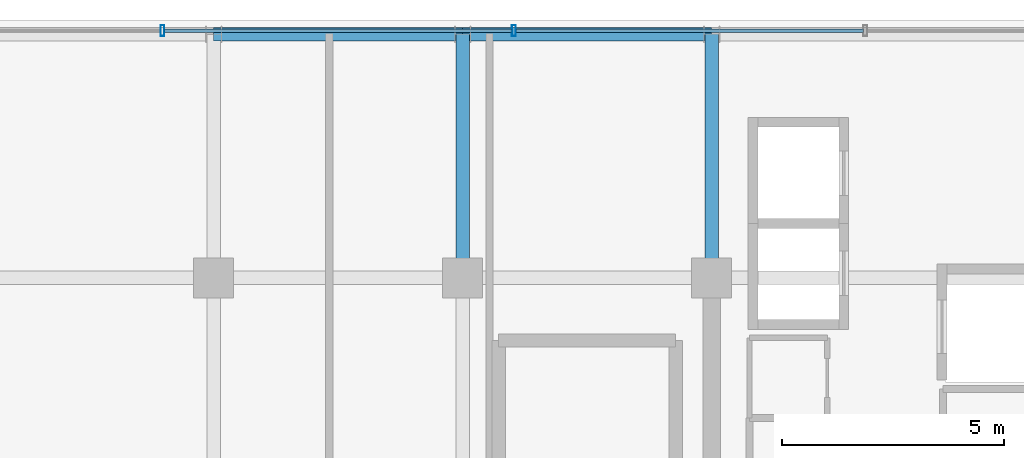
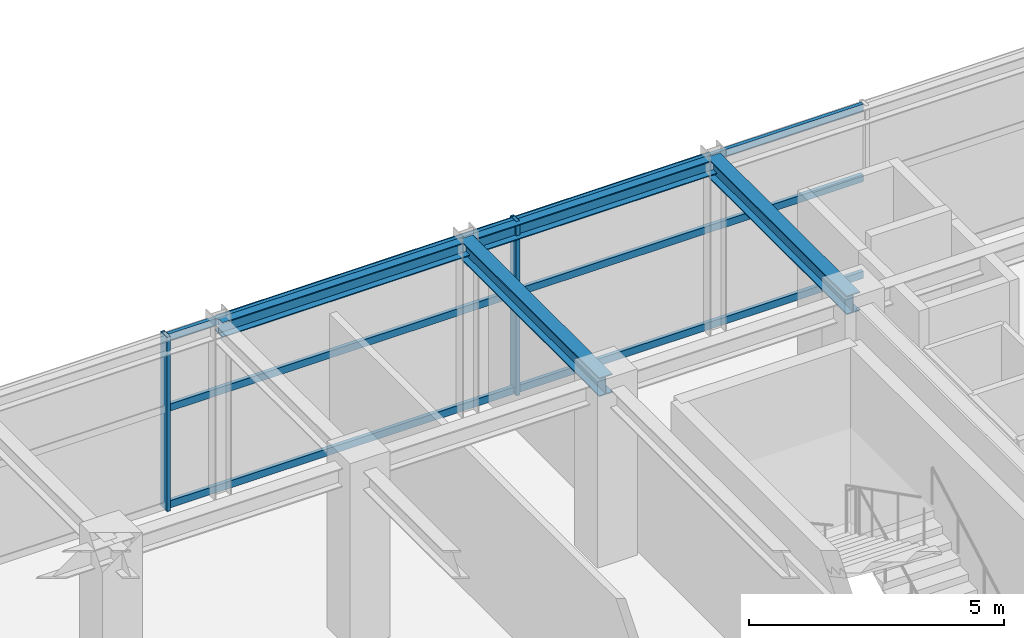
# One storey, part 14 of 20: 8 members, 4 beams, 1 element without a shape of its own.
"""IFC4 building model written with IfcOpenShell, lengths in metres."""

from ifc_helpers import new_model, si_unit, direction, frame, origin, origin_2d, place, context, subcontext, project, spatial, hollow_rectangle, i_section, extrude, source, transform, mapped, material, material_profile, profile_set, type_object, element, aggregate, save


model = new_model("IFC4")

# Units and contexts
model_context = context("Model", 3, precision=1e-05, world=origin(), true_north=direction((0.0, 1.0)))
body_context = subcontext(model_context, "Body", "Model", "MODEL_VIEW")
ifc_project = project(units=[si_unit("LENGTHUNIT", "METRE"), si_unit("AREAUNIT", "SQUARE_METRE"), si_unit("VOLUMEUNIT", "CUBIC_METRE"), si_unit("PLANEANGLEUNIT", "RADIAN"), si_unit("MASSUNIT", "GRAM", prefix="KILO")], contexts=[model_context])

# Site, building, storey
site_placement = place(None, origin())
site = spatial("IfcSite", under=ifc_project, at=site_placement, CompositionType="ELEMENT")
building_placement = place(site_placement, origin())
building = spatial("IfcBuilding", under=site, at=building_placement, Name="Nahalor Promenade Grand Hotel", CompositionType="ELEMENT")
storey_placement = place(building_placement, frame((0.0, 0.0, 347.550048828125)))
storey = spatial("IfcBuildingStorey", under=building, at=storey_placement, Name="L89", CompositionType="ELEMENT", Elevation=347.550048828125)

# Beams
ifc_material_1 = material(Name="Steel S355JR", Category="steel")
ifc_material_profile_1 = material_profile(ifc_material_1, i_section(OverallWidth=0.3, OverallDepth=0.45, WebThickness=0.014, FlangeThickness=0.026, at=origin_2d()), Name="HEB 450")
ifc_profile_set_1 = profile_set([ifc_material_profile_1], Name="Steel S355JR")
beam_type_1 = type_object("IfcBeamType", Name="Beam-Girder-HEB450", PredefinedType="BEAM", material=ifc_profile_set_1)
shared_shape_1 = source(origin(), body_context, "Body", "SweptSolid", [
    extrude(i_section(OverallWidth=0.3, OverallDepth=0.45, WebThickness=0.014, FlangeThickness=0.026, at=origin_2d()), origin(), (0.0, 0.0, 1.0), 5.47998046875),
])
for number, where, z_axis, x_axis, name in (
    (1, (2.800048828125, 17.0, 3.945068359375), (0.0, 1.0, 0.0), (-1.0, 0.0, 0.0), "BM-L89-GY-3-4"),
    (2, (8.39990234375, 17.0, 3.945068359375), (0.0, 1.0, 0.0), (-1.0, 0.0, 0.0), "BM-L89-GY-4-4"),
):
    element("IfcBeam", number, at=place(storey_placement, frame(where, z_axis=z_axis, x_axis=x_axis)), inside=storey, type_object=beam_type_1, Name=name, PredefinedType="BEAM", context=body_context, shape_type="MappedRepresentation", body=[
        mapped(shared_shape_1, transform((0.0, 0.0, 0.0), scale=1.0)),
    ])
ifc_material_profile_2 = material_profile(ifc_material_1, i_section(OverallWidth=0.3, OverallDepth=0.36, WebThickness=0.0125, FlangeThickness=0.0225, at=origin_2d()), Name="HEB 360")
ifc_profile_set_2 = profile_set([ifc_material_profile_2], Name="Steel S355JR")
beam_type_2 = type_object("IfcBeamType", Name="Beam-Spandrel-HEB360", PredefinedType="SPANDREL", material=ifc_profile_set_2)
shared_shape_2 = source(origin(), body_context, "Body", "SweptSolid", [
    extrude(i_section(OverallWidth=0.3, OverallDepth=0.36, WebThickness=0.0125, FlangeThickness=0.0225, at=origin_2d()), origin(), (0.0, 0.0, 1.0), 5.599853515625),
])
beam_1_placement = place(storey_placement, frame((2.800048828125, 22.47998046875, 3.989990234375), z_axis=(1.0, 0.0, 0.0), x_axis=(0.0, 1.0, 0.0)))
element("IfcBeam", 3, at=beam_1_placement, inside=storey, type_object=beam_type_2, Name="BM-L89-SP-N-3", PredefinedType="SPANDREL", context=body_context, shape_type="MappedRepresentation", body=[
    mapped(shared_shape_2, transform((0.0, 0.0, 0.0), scale=1.0)),
])
shared_shape_3 = source(origin(), body_context, "Body", "SweptSolid", [
    extrude(i_section(OverallWidth=0.3, OverallDepth=0.36, WebThickness=0.0125, FlangeThickness=0.0225, at=origin_2d()), origin(), (0.0, 0.0, 1.0), 5.60009765625),
])
beam_2_placement = place(storey_placement, frame((-2.800048828125, 22.47998046875, 3.989990234375), z_axis=(1.0, 0.0, 0.0), x_axis=(0.0, 1.0, 0.0)))
element("IfcBeam", 4, at=beam_2_placement, inside=storey, type_object=beam_type_2, Name="BM-L89-SP-N-2", PredefinedType="SPANDREL", context=body_context, shape_type="MappedRepresentation", body=[
    mapped(shared_shape_3, transform((0.0, 0.0, 0.0), scale=1.0)),
])

# Curtain wall, members
ifc_material_2 = material(Name="Anodised Bronze Aluminium EN AW-6063 T6", Category="aluminium")
curtain_wall_type = type_object("IfcCurtainWallType", Name="CW5 Sky-Lobby & Observation Panoramic Curtain Wall", PredefinedType="USERDEFINED", material=ifc_material_2)
curtain_wall_placement = place(storey_placement, origin())
curtain_wall = element("IfcCurtainWall", 5, at=curtain_wall_placement, inside=storey, type_object=curtain_wall_type, Name="L89 Curtain Wall CW-L89-N-1", ObjectType="UNITISED_CURTAIN_WALL", PredefinedType="USERDEFINED")
ifc_material_profile_3 = material_profile(ifc_material_2, hollow_rectangle(XDim=0.085, YDim=0.25, WallThickness=0.006, at=origin_2d()), Name="CWM 85x250x6")
ifc_profile_set_3 = profile_set([ifc_material_profile_3], Name="Anodised Bronze Aluminium EN AW-6063 T6")
member_type_1 = type_object("IfcMemberType", Name="CWM5 Panoramic Deep Mullion 85x250", PredefinedType="MULLION", material=ifc_profile_set_3)
shared_shape_4 = source(origin(), body_context, "Body", "SweptSolid", [
    extrude(hollow_rectangle(XDim=0.085, YDim=0.25, WallThickness=0.006, at=origin_2d()), origin(), (0.0, 0.0, 1.0), 4.169921875),
])
member_1_placement = place(storey_placement, frame((-3.951904296875, 22.56005859375, 0.0), z_axis=(0.0, 0.0, 1.0), x_axis=(1.0, 0.0, 0.0)))
member_1 = element("IfcMember", 6, at=member_1_placement, type_object=member_type_1, Name="CW-L89-N-1 Mullion 2", PredefinedType="MULLION", context=body_context, shape_type="MappedRepresentation", body=[
    mapped(shared_shape_4, transform((0.0, 0.0, 0.0), scale=1.0)),
])
member_2_placement = place(storey_placement, frame((3.951904296875, 22.56005859375, 0.0), z_axis=(0.0, 0.0, 1.0), x_axis=(1.0, 0.0, 0.0)))
member_2 = element("IfcMember", 7, at=member_2_placement, type_object=member_type_1, Name="CW-L89-N-1 Mullion 3", PredefinedType="MULLION", context=body_context, shape_type="MappedRepresentation", body=[
    mapped(shared_shape_4, transform((0.0, 0.0, 0.0), scale=1.0)),
])
ifc_material_profile_4 = material_profile(ifc_material_2, hollow_rectangle(XDim=0.085, YDim=0.17, WallThickness=0.005, at=origin_2d()), Name="CWT 85x170x5")
ifc_profile_set_4 = profile_set([ifc_material_profile_4], Name="Anodised Bronze Aluminium EN AW-6063 T6")
member_type_2 = type_object("IfcMemberType", Name="CWT5 Panoramic Transom 85x170", PredefinedType="USERDEFINED", material=ifc_profile_set_4)
shared_shape_5 = source(origin(), body_context, "Body", "SweptSolid", [
    extrude(hollow_rectangle(XDim=0.085, YDim=0.17, WallThickness=0.005, at=origin_2d()), origin(), (0.0, 0.0, 1.0), 7.819091796875),
])
member_3_placement = place(storey_placement, frame((3.994384765625, 22.56005859375, 0.0849609375), z_axis=(1.0, 0.0, 0.0), x_axis=(0.0, 1.0, 0.0)))
member_3 = element("IfcMember", 8, at=member_3_placement, type_object=member_type_2, Name="CW-L89-N-1 Transom 3-0", ObjectType="TRANSOM", PredefinedType="USERDEFINED", context=body_context, shape_type="MappedRepresentation", body=[
    mapped(shared_shape_5, transform((0.0, 0.0, 0.0), scale=1.0)),
])
member_4_placement = place(storey_placement, frame((3.994384765625, 22.56005859375, 2.39990234375), z_axis=(1.0, 0.0, 0.0), x_axis=(0.0, 1.0, 0.0)))
member_4 = element("IfcMember", 9, at=member_4_placement, type_object=member_type_2, Name="CW-L89-N-1 Transom 3-1", ObjectType="TRANSOM", PredefinedType="USERDEFINED", context=body_context, shape_type="MappedRepresentation", body=[
    mapped(shared_shape_5, transform((0.0, 0.0, 0.0), scale=1.0)),
])
member_5_placement = place(storey_placement, frame((3.994384765625, 22.56005859375, 4.0849609375), z_axis=(1.0, 0.0, 0.0), x_axis=(0.0, 1.0, 0.0)))
member_5 = element("IfcMember", 10, at=member_5_placement, type_object=member_type_2, Name="CW-L89-N-1 Transom 3-2", ObjectType="TRANSOM", PredefinedType="USERDEFINED", context=body_context, shape_type="MappedRepresentation", body=[
    mapped(shared_shape_5, transform((0.0, 0.0, 0.0), scale=1.0)),
])
shared_shape_6 = source(origin(), body_context, "Body", "SweptSolid", [
    extrude(hollow_rectangle(XDim=0.085, YDim=0.17, WallThickness=0.005, at=origin_2d()), origin(), (0.0, 0.0, 1.0), 7.81884765625),
])
member_6_placement = place(storey_placement, frame((-3.909423828125, 22.56005859375, 0.0849609375), z_axis=(1.0, 0.0, 0.0), x_axis=(0.0, 1.0, 0.0)))
member_6 = element("IfcMember", 11, at=member_6_placement, type_object=member_type_2, Name="CW-L89-N-1 Transom 2-0", ObjectType="TRANSOM", PredefinedType="USERDEFINED", context=body_context, shape_type="MappedRepresentation", body=[
    mapped(shared_shape_6, transform((0.0, 0.0, 0.0), scale=1.0)),
])
member_7_placement = place(storey_placement, frame((-3.909423828125, 22.56005859375, 2.39990234375), z_axis=(1.0, 0.0, 0.0), x_axis=(0.0, 1.0, 0.0)))
member_7 = element("IfcMember", 12, at=member_7_placement, type_object=member_type_2, Name="CW-L89-N-1 Transom 2-1", ObjectType="TRANSOM", PredefinedType="USERDEFINED", context=body_context, shape_type="MappedRepresentation", body=[
    mapped(shared_shape_6, transform((0.0, 0.0, 0.0), scale=1.0)),
])
member_8_placement = place(storey_placement, frame((-3.909423828125, 22.56005859375, 4.0849609375), z_axis=(1.0, 0.0, 0.0), x_axis=(0.0, 1.0, 0.0)))
member_8 = element("IfcMember", 13, at=member_8_placement, type_object=member_type_2, Name="CW-L89-N-1 Transom 2-2", ObjectType="TRANSOM", PredefinedType="USERDEFINED", context=body_context, shape_type="MappedRepresentation", body=[
    mapped(shared_shape_6, transform((0.0, 0.0, 0.0), scale=1.0)),
])
aggregate(curtain_wall, [member_1, member_2, member_6, member_7, member_8, member_3, member_4, member_5])

save(model, "model.ifc")
